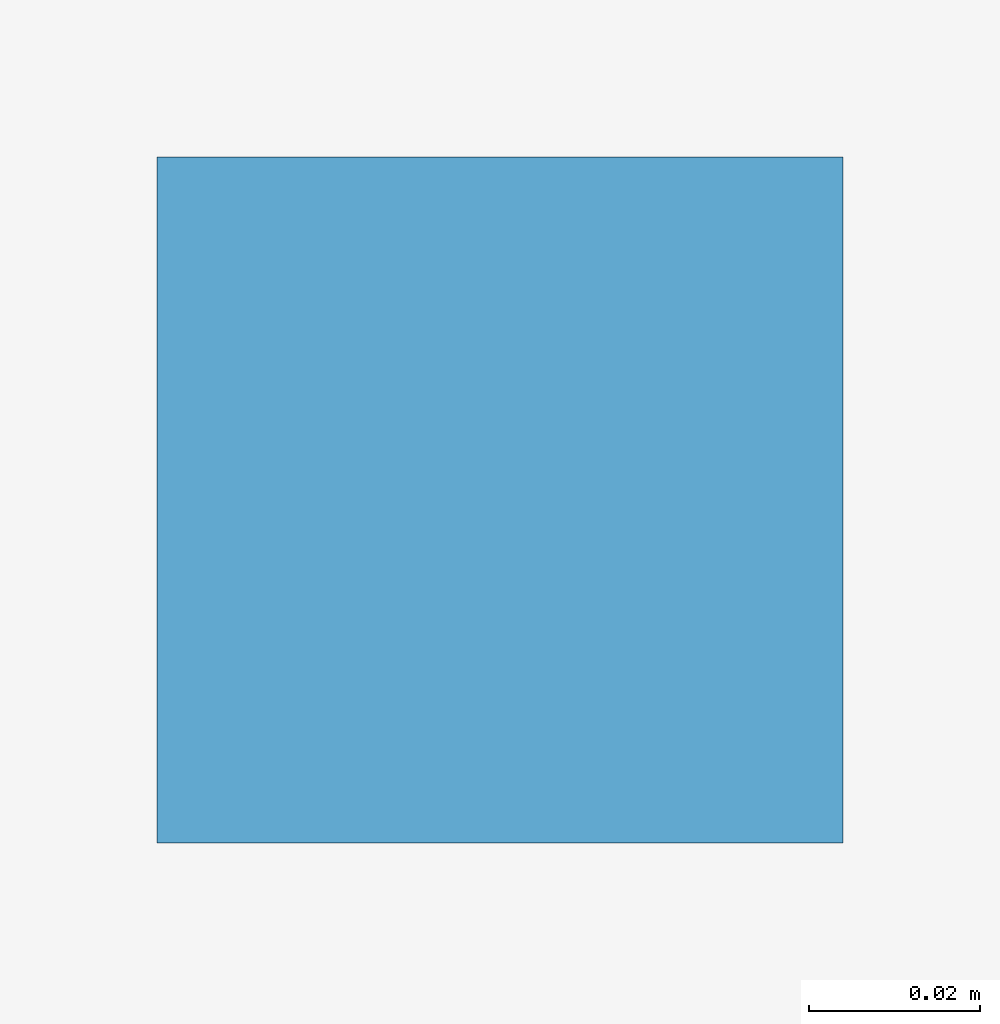
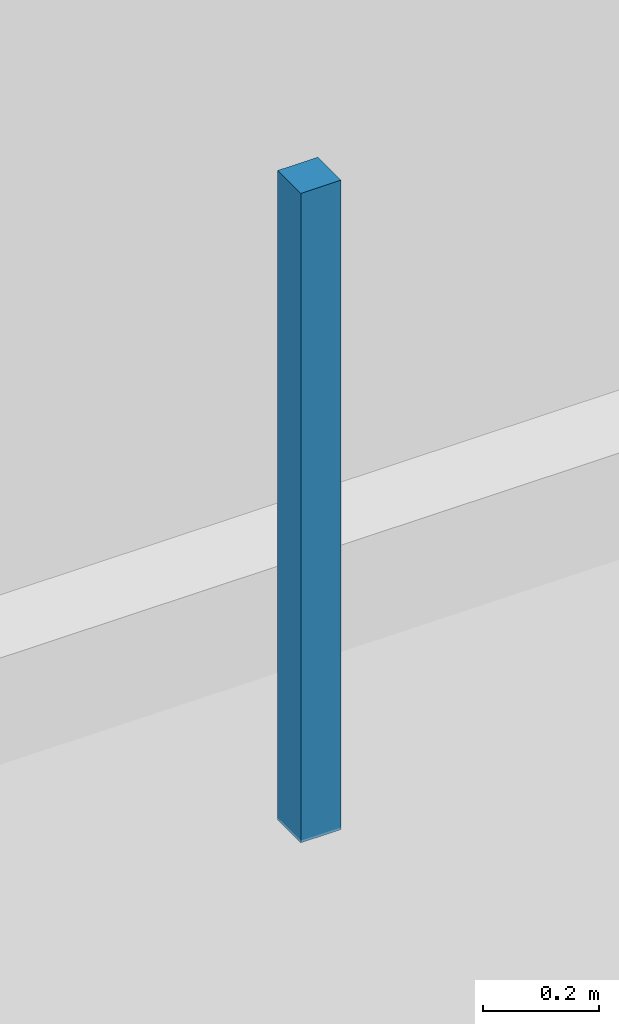
# One storey, part 112 of 131: 1 discrete accessory.
"""IFC4 building model written with IfcOpenShell, lengths in metres."""

from ifc_helpers import new_model, si_unit, direction, frame, origin, origin_2d, place, context, subcontext, project, spatial, rectangle, extrude, material, type_object, element, save


model = new_model("IFC4")

# Units and contexts
model_context = context("Model", 3, precision=1e-05, world=origin(), true_north=direction((0.0, 1.0)))
body_context = subcontext(model_context, "Body", "Model", "MODEL_VIEW")
ifc_project = project(units=[si_unit("LENGTHUNIT", "METRE"), si_unit("AREAUNIT", "SQUARE_METRE"), si_unit("VOLUMEUNIT", "CUBIC_METRE"), si_unit("PLANEANGLEUNIT", "RADIAN"), si_unit("MASSUNIT", "GRAM", prefix="KILO")], contexts=[model_context])

# Site, building, storey
site_placement = place(None, origin())
site = spatial("IfcSite", under=ifc_project, at=site_placement, CompositionType="ELEMENT")
building_placement = place(site_placement, origin())
building = spatial("IfcBuilding", under=site, at=building_placement, Name="Cazmaro Siding Exhibition Halls", CompositionType="ELEMENT")
storey_placement = place(building_placement, origin())
storey = spatial("IfcBuildingStorey", under=building, at=storey_placement, Name="L00", CompositionType="ELEMENT", Elevation=0.0)

# Discrete accessory
ifc_material = material(Name="Steel ASTM A572 Grade 50", Category="steel")
discrete_accessory_type = type_object("IfcDiscreteAccessoryType", Name="SBK-02", PredefinedType="BRACKET", material=ifc_material)
discrete_accessory_placement = place(storey_placement, frame((33.199951171875, 81.5, 4.419921875), z_axis=(0.0, 0.0, 1.0), x_axis=(1.0, 0.0, 0.0)))
element("IfcDiscreteAccessory", 1, at=discrete_accessory_placement, inside=storey, type_object=discrete_accessory_type, Name="Ceiling Cloud Hanger Bracket SBK-02 004", PredefinedType="BRACKET", context=body_context, shape_type="SweptSolid", body=[
    extrude(rectangle(XDim=0.080078125, YDim=0.080078125, at=origin_2d()), origin(), (0.0, 0.0, 1.0), 1.3701171875),
])

save(model, "model.ifc")
